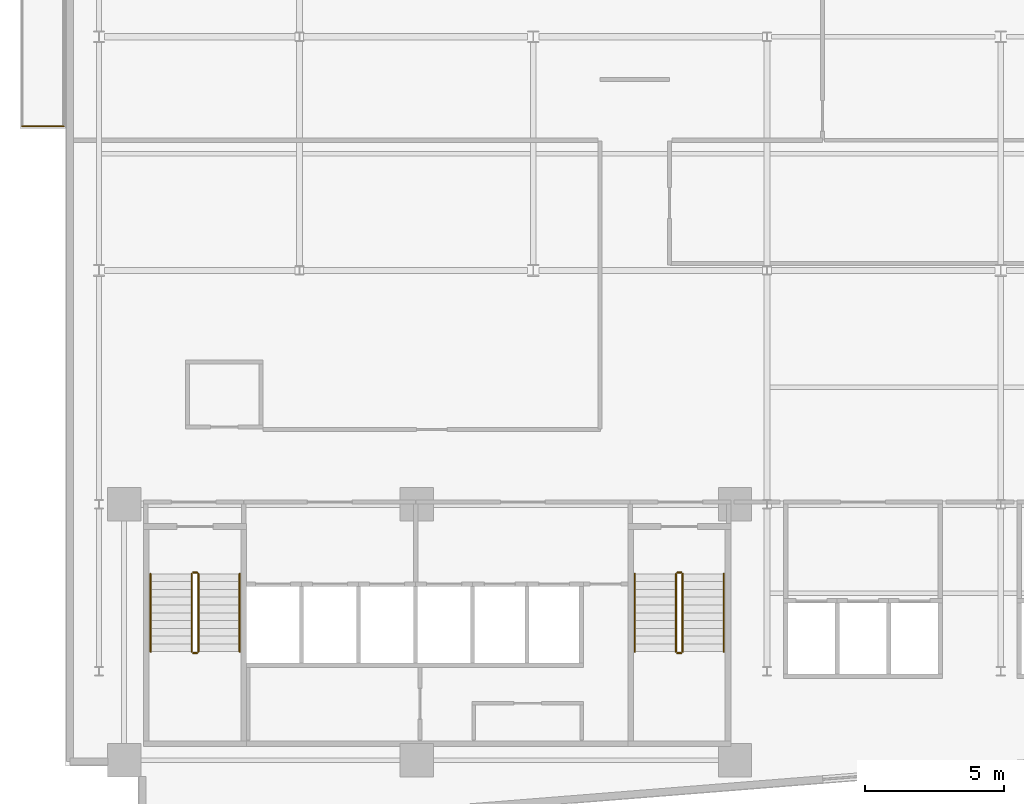
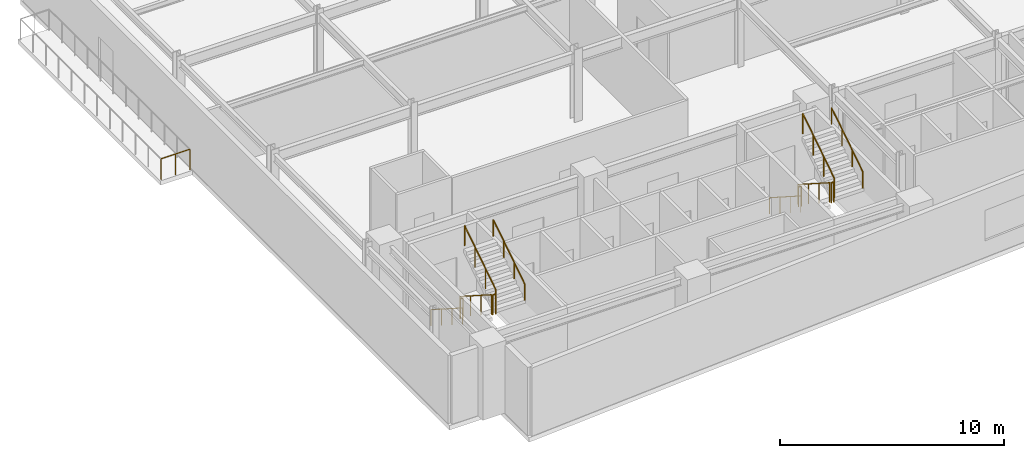
# One storey, part 13 of 17: 13 railings.
"""IFC4 building model written with IfcOpenShell, lengths in metres."""

from ifc_helpers import new_model, si_unit, direction, frame, origin, origin_2d, place, context, subcontext, project, spatial, circle, extrude, material, type_object, element, save


model = new_model("IFC4")

# Units and contexts
model_context = context("Model", 3, precision=1e-05, world=origin(), true_north=direction((0.0, 1.0)))
body_context = subcontext(model_context, "Body", "Model", "MODEL_VIEW")
ifc_project = project(units=[si_unit("LENGTHUNIT", "METRE"), si_unit("AREAUNIT", "SQUARE_METRE"), si_unit("VOLUMEUNIT", "CUBIC_METRE"), si_unit("PLANEANGLEUNIT", "RADIAN"), si_unit("MASSUNIT", "GRAM", prefix="KILO")], contexts=[model_context])

# Site, building, storey
site_placement = place(None, origin())
site = spatial("IfcSite", under=ifc_project, at=site_placement, CompositionType="ELEMENT")
building_placement = place(site_placement, origin())
building = spatial("IfcBuilding", under=site, at=building_placement, Name="Varnakote Quay Hospital", CompositionType="ELEMENT")
storey_placement = place(building_placement, frame((0.0, 0.0, 103.35009765625)))
storey = spatial("IfcBuildingStorey", under=building, at=storey_placement, Name="L25", CompositionType="ELEMENT", Elevation=103.35009765625)

# Railings
ifc_material_1 = material(Name="Anodised aluminium 6063-T6 Bronze", Category="aluminium")
railing_type_1 = type_object("IfcRailingType", Name="RLG-EXT-GUARD-1150", PredefinedType="GUARDRAIL", material=ifc_material_1)
railing_1_placement = place(storey_placement, frame((-0.075927734375, 25.580078125, 0.0)))
element("IfcRailing", 1, at=railing_1_placement, inside=storey, type_object=railing_type_1, Name="L25 Zigzag Prow Healing Terrace Safety Guard", PredefinedType="GUARDRAIL", context=body_context, shape_type="SweptSolid", body=[
    extrude(circle(Radius=0.02392578125, at=origin_2d()), frame((0.0, 0.0, 1.1259765625), z_axis=(-1.0, 0.0, 0.0), x_axis=(0.0, -1.0, 0.0)), (0.0, 0.0, 1.0), 1.484130859375),
    extrude(circle(Radius=0.02099609375, at=origin_2d()), origin(), (0.0, 0.0, 1.0), 1.101806640625),
    extrude(circle(Radius=0.02099609375, at=origin_2d()), frame((-0.7421875, 0.0, 0.0)), (0.0, 0.0, 1.0), 1.101806640625),
    extrude(circle(Radius=0.02099609375, at=origin_2d()), frame((-1.484130859375, 0.0, 0.0)), (0.0, 0.0, 1.0), 1.101806640625),
])
ifc_material_2 = material(Name="Brushed stainless steel balustrade", Category="steel")
railing_type_2 = type_object("IfcRailingType", Name="RLG-STAIR-GUARD-1150", PredefinedType="GUARDRAIL", material=ifc_material_2)
railing_2_placement = place(storey_placement, frame((4.530029296875, 9.5, 0.179443359375)))
element("IfcRailing", 2, at=railing_2_placement, inside=storey, type_object=railing_type_2, Name="L25 ST-01 stair guard 1", PredefinedType="GUARDRAIL", context=body_context, shape_type="SweptSolid", body=[
    extrude(circle(Radius=0.02392578125, at=origin_2d()), frame((0.0, 0.0, 1.076171875), z_axis=(0.0, -0.841809871826, 0.539774156196), x_axis=(1.0, 0.0, 0.0)), (0.0, 0.0, 1.0), 3.326171875),
    extrude(circle(Radius=0.02099609375, at=origin_2d()), origin(), (0.0, 0.0, 1.0), 1.052001953125),
    extrude(circle(Radius=0.02099609375, at=origin_2d()), frame((0.0, -0.933349609375, 0.598388671875)), (0.0, 0.0, 1.0), 1.052001953125),
    extrude(circle(Radius=0.02099609375, at=origin_2d()), frame((0.0, -1.86669921875, 1.197021484375)), (0.0, 0.0, 1.0), 1.052001953125),
    extrude(circle(Radius=0.02099609375, at=origin_2d()), frame((0.0, -2.800048828125, 1.79541015625)), (0.0, 0.0, 1.0), 1.052001953125),
])
railing_3_placement = place(storey_placement, frame((4.580078125, 6.64990234375, 1.974853515625)))
element("IfcRailing", 3, at=railing_3_placement, inside=storey, type_object=railing_type_2, Name="L25 ST-01 stair guard 2", PredefinedType="GUARDRAIL", context=body_context, shape_type="SweptSolid", body=[
    extrude(circle(Radius=0.02392578125, at=origin_2d()), frame((0.0, 0.0, 1.076171875), z_axis=(1.0, 0.0, 0.0), x_axis=(0.0, 1.0, 0.0)), (0.0, 0.0, 1.0), 0.139892578125),
    extrude(circle(Radius=0.02099609375, at=origin_2d()), origin(), (0.0, 0.0, 1.0), 1.052001953125),
    extrude(circle(Radius=0.02099609375, at=origin_2d()), frame((0.139892578125, 0.0, 0.0)), (0.0, 0.0, 1.0), 1.052001953125),
])
railing_4_placement = place(storey_placement, frame((4.77001953125, 6.699951171875, 2.154541015625)))
element("IfcRailing", 4, at=railing_4_placement, inside=storey, type_object=railing_type_2, Name="L25 ST-01 stair guard 3", PredefinedType="GUARDRAIL", context=body_context, shape_type="SweptSolid", body=[
    extrude(circle(Radius=0.02392578125, at=origin_2d()), frame((0.0, 0.0, 1.076171875), z_axis=(0.0, 0.841809871826, 0.539774156196), x_axis=(-1.0, 0.0, 0.0)), (0.0, 0.0, 1.0), 3.326171875),
    extrude(circle(Radius=0.02099609375, at=origin_2d()), origin(), (0.0, 0.0, 1.0), 1.052001953125),
    extrude(circle(Radius=0.02099609375, at=origin_2d()), frame((0.0, 0.933349609375, 0.598388671875)), (0.0, 0.0, 1.0), 1.052001953125),
    extrude(circle(Radius=0.02099609375, at=origin_2d()), frame((0.0, 1.86669921875, 1.197021484375)), (0.0, 0.0, 1.0), 1.052001953125),
    extrude(circle(Radius=0.02099609375, at=origin_2d()), frame((0.0, 2.800048828125, 1.79541015625)), (0.0, 0.0, 1.0), 1.052001953125),
])
railing_5_placement = place(storey_placement, frame((4.580078125, 9.550048828125, 0.0)))
element("IfcRailing", 5, at=railing_5_placement, inside=storey, type_object=railing_type_2, Name="L25 ST-01 stair guard 4", PredefinedType="GUARDRAIL", context=body_context, shape_type="SweptSolid", body=[
    extrude(circle(Radius=0.02392578125, at=origin_2d()), frame((0.0, 0.0, 1.076171875), z_axis=(1.0, 0.0, 0.0), x_axis=(0.0, 1.0, 0.0)), (0.0, 0.0, 1.0), 0.139892578125),
    extrude(circle(Radius=0.02099609375, at=origin_2d()), origin(), (0.0, 0.0, 1.0), 1.052001953125),
    extrude(circle(Radius=0.02099609375, at=origin_2d()), frame((0.139892578125, 0.0, 0.0)), (0.0, 0.0, 1.0), 1.052001953125),
])
railing_6_placement = place(storey_placement, frame((21.929931640625, 9.5, 0.179443359375)))
element("IfcRailing", 6, at=railing_6_placement, inside=storey, type_object=railing_type_2, Name="L25 ST-02 stair guard 1", PredefinedType="GUARDRAIL", context=body_context, shape_type="SweptSolid", body=[
    extrude(circle(Radius=0.02392578125, at=origin_2d()), frame((0.0, 0.0, 1.076171875), z_axis=(0.0, -0.841809871826, 0.539774156196), x_axis=(1.0, 0.0, 0.0)), (0.0, 0.0, 1.0), 3.326171875),
    extrude(circle(Radius=0.02099609375, at=origin_2d()), origin(), (0.0, 0.0, 1.0), 1.052001953125),
    extrude(circle(Radius=0.02099609375, at=origin_2d()), frame((0.0, -0.933349609375, 0.598388671875)), (0.0, 0.0, 1.0), 1.052001953125),
    extrude(circle(Radius=0.02099609375, at=origin_2d()), frame((0.0, -1.86669921875, 1.197021484375)), (0.0, 0.0, 1.0), 1.052001953125),
    extrude(circle(Radius=0.02099609375, at=origin_2d()), frame((0.0, -2.800048828125, 1.79541015625)), (0.0, 0.0, 1.0), 1.052001953125),
])
railing_7_placement = place(storey_placement, frame((21.97998046875, 6.64990234375, 1.974853515625)))
element("IfcRailing", 7, at=railing_7_placement, inside=storey, type_object=railing_type_2, Name="L25 ST-02 stair guard 2", PredefinedType="GUARDRAIL", context=body_context, shape_type="SweptSolid", body=[
    extrude(circle(Radius=0.02392578125, at=origin_2d()), frame((0.0, 0.0, 1.076171875), z_axis=(1.0, 0.0, 0.0), x_axis=(0.0, 1.0, 0.0)), (0.0, 0.0, 1.0), 0.14013671875),
    extrude(circle(Radius=0.02099609375, at=origin_2d()), origin(), (0.0, 0.0, 1.0), 1.052001953125),
    extrude(circle(Radius=0.02099609375, at=origin_2d()), frame((0.14013671875, 0.0, 0.0)), (0.0, 0.0, 1.0), 1.052001953125),
])
railing_8_placement = place(storey_placement, frame((22.169921875, 6.699951171875, 2.154541015625)))
element("IfcRailing", 8, at=railing_8_placement, inside=storey, type_object=railing_type_2, Name="L25 ST-02 stair guard 3", PredefinedType="GUARDRAIL", context=body_context, shape_type="SweptSolid", body=[
    extrude(circle(Radius=0.02392578125, at=origin_2d()), frame((0.0, 0.0, 1.076171875), z_axis=(0.0, 0.841809871826, 0.539774156196), x_axis=(-1.0, 0.0, 0.0)), (0.0, 0.0, 1.0), 3.326171875),
    extrude(circle(Radius=0.02099609375, at=origin_2d()), origin(), (0.0, 0.0, 1.0), 1.052001953125),
    extrude(circle(Radius=0.02099609375, at=origin_2d()), frame((0.0, 0.933349609375, 0.598388671875)), (0.0, 0.0, 1.0), 1.052001953125),
    extrude(circle(Radius=0.02099609375, at=origin_2d()), frame((0.0, 1.86669921875, 1.197021484375)), (0.0, 0.0, 1.0), 1.052001953125),
    extrude(circle(Radius=0.02099609375, at=origin_2d()), frame((0.0, 2.800048828125, 1.79541015625)), (0.0, 0.0, 1.0), 1.052001953125),
])
railing_9_placement = place(storey_placement, frame((21.97998046875, 9.550048828125, 0.0)))
element("IfcRailing", 9, at=railing_9_placement, inside=storey, type_object=railing_type_2, Name="L25 ST-02 stair guard 4", PredefinedType="GUARDRAIL", context=body_context, shape_type="SweptSolid", body=[
    extrude(circle(Radius=0.02392578125, at=origin_2d()), frame((0.0, 0.0, 1.076171875), z_axis=(1.0, 0.0, 0.0), x_axis=(0.0, 1.0, 0.0)), (0.0, 0.0, 1.0), 0.14013671875),
    extrude(circle(Radius=0.02099609375, at=origin_2d()), origin(), (0.0, 0.0, 1.0), 1.052001953125),
    extrude(circle(Radius=0.02099609375, at=origin_2d()), frame((0.14013671875, 0.0, 0.0)), (0.0, 0.0, 1.0), 1.052001953125),
])
ifc_material_3 = material(Name="Brushed stainless steel handrail", Category="steel")
railing_type_3 = type_object("IfcRailingType", Name="RLG-STAIR-HND-920", PredefinedType="HANDRAIL", material=ifc_material_3)
railing_10_placement = place(storey_placement, frame((3.050048828125, 9.5, 0.179443359375)))
element("IfcRailing", 10, at=railing_10_placement, inside=storey, type_object=railing_type_3, Name="L25 ST-01 stair handrail 1", PredefinedType="HANDRAIL", context=body_context, shape_type="SweptSolid", body=[
    extrude(circle(Radius=0.02392578125, at=origin_2d()), frame((0.0, 0.0, 0.8759765625), z_axis=(0.0, -0.841809871826, 0.539774156196), x_axis=(1.0, 0.0, 0.0)), (0.0, 0.0, 1.0), 3.326171875),
    extrude(circle(Radius=0.02099609375, at=origin_2d()), origin(), (0.0, 0.0, 1.0), 0.851806640625),
    extrude(circle(Radius=0.02099609375, at=origin_2d()), frame((0.0, -0.933349609375, 0.598388671875)), (0.0, 0.0, 1.0), 0.851806640625),
    extrude(circle(Radius=0.02099609375, at=origin_2d()), frame((0.0, -1.86669921875, 1.197021484375)), (0.0, 0.0, 1.0), 0.851806640625),
    extrude(circle(Radius=0.02099609375, at=origin_2d()), frame((0.0, -2.800048828125, 1.79541015625)), (0.0, 0.0, 1.0), 0.851806640625),
])
railing_11_placement = place(storey_placement, frame((6.25, 6.699951171875, 2.154541015625)))
element("IfcRailing", 11, at=railing_11_placement, inside=storey, type_object=railing_type_3, Name="L25 ST-01 stair handrail 2", PredefinedType="HANDRAIL", context=body_context, shape_type="SweptSolid", body=[
    extrude(circle(Radius=0.02392578125, at=origin_2d()), frame((0.0, 0.0, 0.8759765625), z_axis=(0.0, 0.841809871826, 0.539774156196), x_axis=(-1.0, 0.0, 0.0)), (0.0, 0.0, 1.0), 3.326171875),
    extrude(circle(Radius=0.02099609375, at=origin_2d()), origin(), (0.0, 0.0, 1.0), 0.851806640625),
    extrude(circle(Radius=0.02099609375, at=origin_2d()), frame((0.0, 0.933349609375, 0.598388671875)), (0.0, 0.0, 1.0), 0.851806640625),
    extrude(circle(Radius=0.02099609375, at=origin_2d()), frame((0.0, 1.86669921875, 1.197021484375)), (0.0, 0.0, 1.0), 0.851806640625),
    extrude(circle(Radius=0.02099609375, at=origin_2d()), frame((0.0, 2.800048828125, 1.79541015625)), (0.0, 0.0, 1.0), 0.851806640625),
])
railing_12_placement = place(storey_placement, frame((20.449951171875, 9.5, 0.179443359375)))
element("IfcRailing", 12, at=railing_12_placement, inside=storey, type_object=railing_type_3, Name="L25 ST-02 stair handrail 1", PredefinedType="HANDRAIL", context=body_context, shape_type="SweptSolid", body=[
    extrude(circle(Radius=0.02392578125, at=origin_2d()), frame((0.0, 0.0, 0.8759765625), z_axis=(0.0, -0.841809871826, 0.539774156196), x_axis=(1.0, 0.0, 0.0)), (0.0, 0.0, 1.0), 3.326171875),
    extrude(circle(Radius=0.02099609375, at=origin_2d()), origin(), (0.0, 0.0, 1.0), 0.851806640625),
    extrude(circle(Radius=0.02099609375, at=origin_2d()), frame((0.0, -0.933349609375, 0.598388671875)), (0.0, 0.0, 1.0), 0.851806640625),
    extrude(circle(Radius=0.02099609375, at=origin_2d()), frame((0.0, -1.86669921875, 1.197021484375)), (0.0, 0.0, 1.0), 0.851806640625),
    extrude(circle(Radius=0.02099609375, at=origin_2d()), frame((0.0, -2.800048828125, 1.79541015625)), (0.0, 0.0, 1.0), 0.851806640625),
])
railing_13_placement = place(storey_placement, frame((23.64990234375, 6.699951171875, 2.154541015625)))
element("IfcRailing", 13, at=railing_13_placement, inside=storey, type_object=railing_type_3, Name="L25 ST-02 stair handrail 2", PredefinedType="HANDRAIL", context=body_context, shape_type="SweptSolid", body=[
    extrude(circle(Radius=0.02392578125, at=origin_2d()), frame((0.0, 0.0, 0.8759765625), z_axis=(0.0, 0.841809871826, 0.539774156196), x_axis=(-1.0, 0.0, 0.0)), (0.0, 0.0, 1.0), 3.326171875),
    extrude(circle(Radius=0.02099609375, at=origin_2d()), origin(), (0.0, 0.0, 1.0), 0.851806640625),
    extrude(circle(Radius=0.02099609375, at=origin_2d()), frame((0.0, 0.933349609375, 0.598388671875)), (0.0, 0.0, 1.0), 0.851806640625),
    extrude(circle(Radius=0.02099609375, at=origin_2d()), frame((0.0, 1.86669921875, 1.197021484375)), (0.0, 0.0, 1.0), 0.851806640625),
    extrude(circle(Radius=0.02099609375, at=origin_2d()), frame((0.0, 2.800048828125, 1.79541015625)), (0.0, 0.0, 1.0), 0.851806640625),
])

save(model, "model.ifc")
